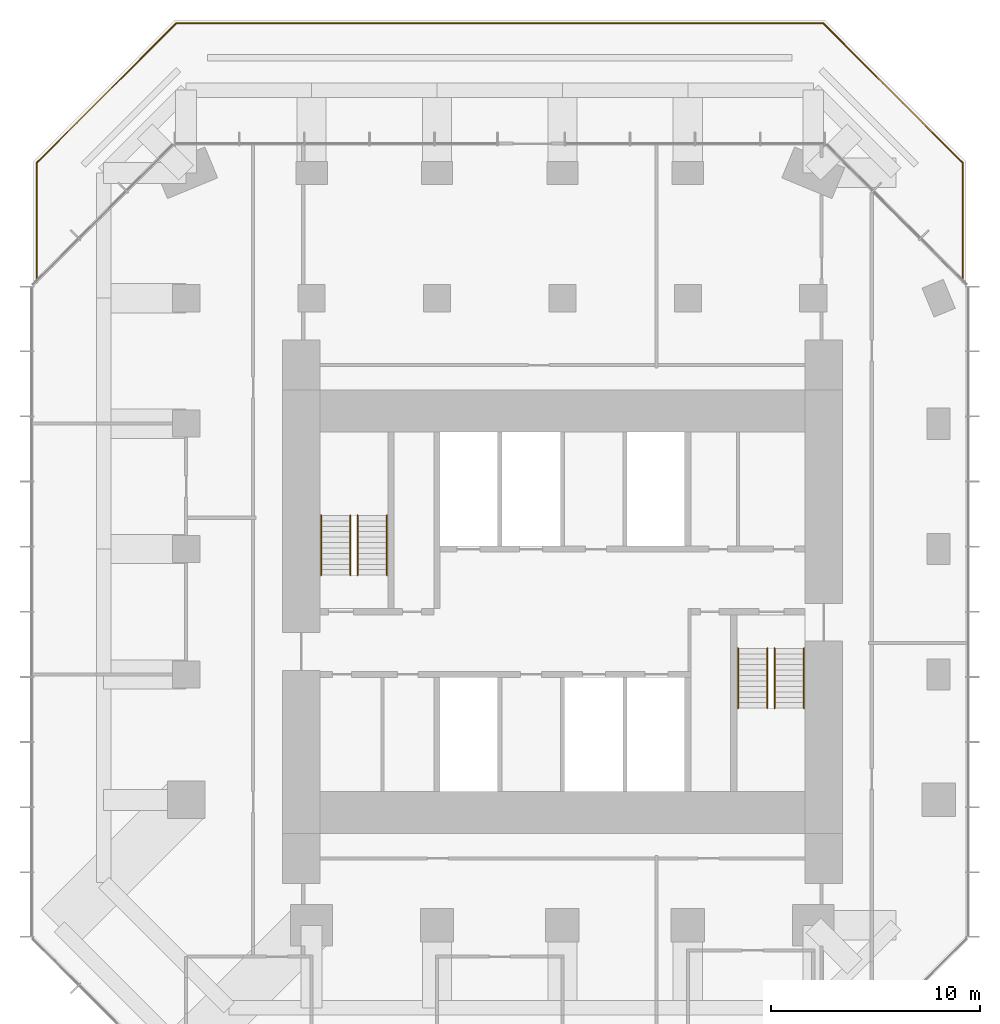
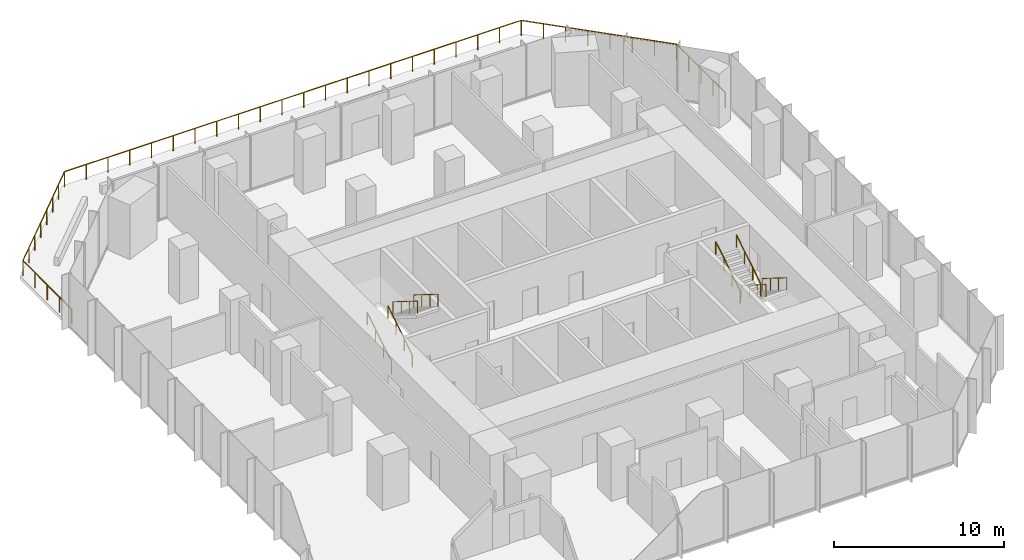
# One storey, part 11 of 11: 9 railings.
"""IFC4 building model written with IfcOpenShell, lengths in metres."""

import ifcopenshell
import ifcopenshell.guid

model = None  # the IFC model being written
_history = None  # IfcOwnerHistory: only IFC2X3 demands one
_inside = {}  # id of a spatial element -> (the spatial element, [elements in it])
_under = {}  # id of a project, library or spatial element -> (it, [spatial elements below it])
_declared = {}  # id of a project -> (the project, [libraries it declares])
_typed = {}  # id of a type object -> (the type object, [elements of that type])
_made_of = {}  # id of a material, layer set ... -> (it, [elements and type objects made of it])


def new_model(schema):
    """Start an empty IFC model of exactly this schema.

    Asked for "IFC4X3", IfcOpenShell would pick the latest addendum, in which some entities
    have other attributes; the version numbers below select the first issue.
    IFC2X3 requires an IfcOwnerHistory on every rooted entity: one is made here for all.
    """
    global model, _history
    if schema == "IFC4X3":
        model = ifcopenshell.file(schema_version=(4, 3, 0, 0))
    else:
        model = ifcopenshell.file(schema=schema)
    _inside.clear()
    _under.clear()
    _declared.clear()
    _typed.clear()
    _made_of.clear()
    _history = None
    if model.schema == "IFC2X3":
        org = make("IfcOrganization", Name="unknown")
        user = make(
            "IfcPersonAndOrganization",
            ThePerson=make("IfcPerson", FamilyName="unknown"),
            TheOrganization=org,
        )
        app = make(
            "IfcApplication",
            ApplicationDeveloper=org,
            Version="unknown",
            ApplicationFullName="unknown",
            ApplicationIdentifier="unknown",
        )
        _history = make(
            "IfcOwnerHistory",
            OwningUser=user,
            OwningApplication=app,
            ChangeAction="ADDED",
            CreationDate=0,
        )
    return model


def make(cls, **values):
    """One entity of the class cls with the attributes given. An attribute that is None is left unset."""
    return model.create_entity(
        cls, **{name: value for name, value in values.items() if value is not None}
    )


def rooted(cls, **values):
    """An entity with a GlobalId (a new one), such as an element, a storey or a relation."""
    return make(cls, GlobalId=ifcopenshell.guid.new(), OwnerHistory=_history, **values)


def si_unit(unit_type, name, prefix=None):
    """IfcSIUnit, for example si_unit("LENGTHUNIT", "METRE", prefix="MILLI")."""
    return make("IfcSIUnit", UnitType=unit_type, Prefix=prefix, Name=name)


def assignment(units):
    """IfcUnitAssignment: the units of a project."""
    return None if units is None else make("IfcUnitAssignment", Units=units)


def point(xyz):
    """IfcCartesianPoint."""
    return None if xyz is None else make("IfcCartesianPoint", Coordinates=xyz)


def direction(xyz):
    """IfcDirection."""
    return None if xyz is None else make("IfcDirection", DirectionRatios=xyz)


def frame(location, z_axis=None, x_axis=None):
    """IfcAxis2Placement3D, a coordinate frame: its origin and axes. An axis left out is left unset."""
    return make(
        "IfcAxis2Placement3D",
        Location=point(location),
        Axis=direction(z_axis),
        RefDirection=direction(x_axis),
    )


def frame_2d(location, x_axis=None):
    """IfcAxis2Placement2D, a coordinate frame in the plane: its origin and x axis."""
    return make(
        "IfcAxis2Placement2D", Location=point(location), RefDirection=direction(x_axis)
    )


def origin():
    """The frame at (0, 0, 0) with its axes left unset."""
    return frame((0.0, 0.0, 0.0))


def origin_2d():
    """The frame at (0, 0) in the plane with its x axis left unset."""
    return frame_2d((0.0, 0.0))


def place(relative_to, where):
    """IfcLocalPlacement: puts the frame where relative to a parent placement (None: the world)."""
    return make(
        "IfcLocalPlacement", PlacementRelTo=relative_to, RelativePlacement=where
    )


def context(
    kind, dimensions, precision=None, world=None, true_north=None, identifier=None
):
    """IfcGeometricRepresentationContext, for example the 3D "Model" context."""
    return make(
        "IfcGeometricRepresentationContext",
        ContextIdentifier=identifier,
        ContextType=kind,
        CoordinateSpaceDimension=dimensions,
        Precision=precision,
        WorldCoordinateSystem=world,
        TrueNorth=true_north,
    )


def subcontext(parent, identifier, kind, view, scale=None):
    """IfcGeometricRepresentationSubContext, for example "Body" below "Model"."""
    return make(
        "IfcGeometricRepresentationSubContext",
        ContextIdentifier=identifier,
        ContextType=kind,
        ParentContext=parent,
        TargetScale=scale,
        TargetView=view,
    )


def project(units=None, contexts=None):
    """IfcProject with its units and contexts."""
    return rooted(
        "IfcProject",
        Name="project",
        RepresentationContexts=contexts,
        UnitsInContext=assignment(units),
    )


def spatial(cls, under=None, at=None, **own):
    """A site, building, storey or space (cls), placed at a placement, below another one or the project."""
    s = rooted(cls, ObjectPlacement=at, **own)
    if under is not None:
        _under.setdefault(under.id(), (under, []))[1].append(s)
    return s


def profile(cls, at=None, kind="AREA", **sizes):
    """A parametric profile (cls). Its sizes go by their IFC names, for example OverallWidth=200.0."""
    return make(cls, ProfileType=kind, Position=at, **sizes)


def circle(**sizes):
    """IfcCircleProfileDef."""
    return profile("IfcCircleProfileDef", **sizes)


def extrude(swept, where, along, depth):
    """IfcExtrudedAreaSolid: the profile swept, set in the frame where, extruded along a direction by depth."""
    return make(
        "IfcExtrudedAreaSolid",
        SweptArea=swept,
        Position=where,
        ExtrudedDirection=direction(along),
        Depth=depth,
    )


def shape(context_of_items, identifier, shape_type, items):
    """IfcShapeRepresentation: the items that make up one representation, for example the "Body"."""
    return make(
        "IfcShapeRepresentation",
        ContextOfItems=context_of_items,
        RepresentationIdentifier=identifier,
        RepresentationType=shape_type,
        Items=items,
    )


def material(Name=None, Category=None):
    """IfcMaterial."""
    return make("IfcMaterial", Name=Name, Category=Category)


def made_of(thing, what):
    """Note that an element or type object is made of a material, layer set ...; save() writes the relation."""
    if what is not None:
        _made_of.setdefault(what.id(), (what, []))[1].append(thing)
    return thing


def type_object(cls, material=None, **own):
    """A type object (cls), such as IfcWallType, which elements share."""
    return made_of(rooted(cls, **own), material)


def element(
    cls,
    number,
    at=None,
    inside=None,
    cuts=None,
    type_object=None,
    material=None,
    context=None,
    identifier="Body",
    shape_type=None,
    held_by="IfcProductDefinitionShape",
    body=None,
    shapes=None,
    **own,
):
    """One element of the class cls, such as IfcWall. Its Tag is "e" and its number.

    at: its placement. inside: the storey or other place that contains it. cuts: it is an
    opening in that element (IfcRelVoidsElement). A single representation is given by context,
    identifier, shape_type and body (its items); several are given by shapes. held_by: the class
    of the entity that holds the representations. save() writes the other relations.
    """
    e = rooted(cls, Tag="e%d" % number, ObjectPlacement=at, **own)
    if body is not None:
        shapes = [shape(context, identifier, shape_type, body)]
    if shapes is not None:
        e.Representation = make(held_by, Representations=shapes)
    if inside is not None:
        _inside.setdefault(inside.id(), (inside, []))[1].append(e)
    if cuts is not None:
        rooted(
            "IfcRelVoidsElement", RelatingBuildingElement=cuts, RelatedOpeningElement=e
        )
    if type_object is not None:
        _typed.setdefault(type_object.id(), (type_object, []))[1].append(e)
    return made_of(e, material)


def aggregate(whole, parts):
    """IfcRelAggregates: a whole, such as a stair, and the parts it consists of."""
    return rooted("IfcRelAggregates", RelatingObject=whole, RelatedObjects=parts)


def save(model, path):
    """Write the relations noted so far, then the file.

    IfcRelAggregates (storeys below a building ...), IfcRelContainedInSpatialStructure (elements
    in a storey), IfcRelDefinesByType, IfcRelAssociatesMaterial and IfcRelDeclares: one each for
    every whole, place, type object, material and project.
    """
    for whole, parts in _under.values():
        aggregate(whole, parts)
    for where, things in _inside.values():
        rooted(
            "IfcRelContainedInSpatialStructure",
            RelatedElements=things,
            RelatingStructure=where,
        )
    for kind, things in _typed.values():
        rooted("IfcRelDefinesByType", RelatedObjects=things, RelatingType=kind)
    for what, things in _made_of.values():
        rooted("IfcRelAssociatesMaterial", RelatedObjects=things, RelatingMaterial=what)
    for by, libraries in _declared.values():
        rooted("IfcRelDeclares", RelatingContext=by, RelatedDefinitions=libraries)
    model.write(path)


model = new_model("IFC4")

# Units and contexts
model_context = context("Model", 3, precision=1e-05, world=origin(), true_north=direction((0.0, 1.0)))
body_context = subcontext(model_context, "Body", "Model", "MODEL_VIEW")
ifc_project = project(units=[si_unit("LENGTHUNIT", "METRE"), si_unit("AREAUNIT", "SQUARE_METRE"), si_unit("VOLUMEUNIT", "CUBIC_METRE"), si_unit("PLANEANGLEUNIT", "RADIAN"), si_unit("MASSUNIT", "GRAM", prefix="KILO")], contexts=[model_context])

# Site, building, storey
site_placement = place(None, origin())
site = spatial("IfcSite", under=ifc_project, at=site_placement, CompositionType="ELEMENT")
building_placement = place(site_placement, origin())
building = spatial("IfcBuilding", under=site, at=building_placement, Name="Highveld Stack Headquarters", CompositionType="ELEMENT")
storey_placement = place(building_placement, frame((0.0, 0.0, 212.300048828125)))
storey = spatial("IfcBuildingStorey", under=building, at=storey_placement, Name="L52", CompositionType="ELEMENT", Elevation=212.300048828125)

# Railings
ifc_material_1 = material(Name="Stainless steel handrail", Category="steel")
railing_type_1 = type_object("IfcRailingType", Name="STAIR HANDRAIL HR1 900", PredefinedType="HANDRAIL", material=ifc_material_1)
for number, where, name in (
    (1, (-5.550048828125, 4.75, 0.162353515625), "Handrail S1 L52 flight 1"),
    (2, (-4.14990234375, 4.75, 0.162353515625), "Handrail S1 L52 flight 1"),
):
    element("IfcRailing", number, at=place(storey_placement, frame(where)), inside=storey, type_object=railing_type_1, Name=name, PredefinedType="HANDRAIL", context=body_context, shape_type="SweptSolid", body=[
        extrude(circle(Radius=0.02392578125, at=origin_2d()), frame((0.0, 0.0, 0.8759765625), z_axis=(0.0, 0.847994237388, 0.530005446535), x_axis=(-1.0, 0.0, 0.0)), (0.0, 0.0, 1.0), 3.372802734375),
        extrude(circle(Radius=0.02099609375, at=origin_2d()), origin(), (0.0, 0.0, 1.0), 0.851806640625),
        extrude(circle(Radius=0.02099609375, at=origin_2d()), frame((0.0, 0.953369140625, 0.595947265625)), (0.0, 0.0, 1.0), 0.851806640625),
        extrude(circle(Radius=0.02099609375, at=origin_2d()), frame((0.0, 1.90673828125, 1.191650390625)), (0.0, 0.0, 1.0), 0.851806640625),
        extrude(circle(Radius=0.02099609375, at=origin_2d()), frame((0.0, 2.860107421875, 1.78759765625)), (0.0, 0.0, 1.0), 0.851806640625),
    ])
for number, where, name in (
    (3, (-3.800048828125, 7.610107421875, 2.112548828125), "Handrail S1 L52 flight 2"),
    (4, (-2.39990234375, 7.610107421875, 2.112548828125), "Handrail S1 L52 flight 2"),
):
    element("IfcRailing", number, at=place(storey_placement, frame(where)), inside=storey, type_object=railing_type_1, Name=name, PredefinedType="HANDRAIL", context=body_context, shape_type="SweptSolid", body=[
        extrude(circle(Radius=0.02392578125, at=origin_2d()), frame((0.0, 0.0, 0.8759765625), z_axis=(0.0, -0.848026770018, 0.529953391661), x_axis=(1.0, 0.0, 0.0)), (0.0, 0.0, 1.0), 3.37255859375),
        extrude(circle(Radius=0.02099609375, at=origin_2d()), origin(), (0.0, 0.0, 1.0), 0.851806640625),
        extrude(circle(Radius=0.02099609375, at=origin_2d()), frame((0.0, -0.953369140625, 0.595703125)), (0.0, 0.0, 1.0), 0.851806640625),
        extrude(circle(Radius=0.02099609375, at=origin_2d()), frame((0.0, -1.90673828125, 1.191650390625)), (0.0, 0.0, 1.0), 0.851806640625),
        extrude(circle(Radius=0.02099609375, at=origin_2d()), frame((0.0, -2.860107421875, 1.787353515625)), (0.0, 0.0, 1.0), 0.851806640625),
    ])
for number, where, name in (
    (5, (16.14990234375, 1.25, 0.162353515625), "Handrail S2 L52 flight 1"),
    (6, (17.550048828125, 1.25, 0.162353515625), "Handrail S2 L52 flight 1"),
):
    element("IfcRailing", number, at=place(storey_placement, frame(where)), inside=storey, type_object=railing_type_1, Name=name, PredefinedType="HANDRAIL", context=body_context, shape_type="SweptSolid", body=[
        extrude(circle(Radius=0.02392578125, at=origin_2d()), frame((0.0, 0.0, 0.8759765625), z_axis=(0.0, -0.847994237388, 0.530005446535), x_axis=(1.0, 0.0, 0.0)), (0.0, 0.0, 1.0), 3.372802734375),
        extrude(circle(Radius=0.02099609375, at=origin_2d()), origin(), (0.0, 0.0, 1.0), 0.851806640625),
        extrude(circle(Radius=0.02099609375, at=origin_2d()), frame((0.0, -0.953369140625, 0.595947265625)), (0.0, 0.0, 1.0), 0.851806640625),
        extrude(circle(Radius=0.02099609375, at=origin_2d()), frame((0.0, -1.90673828125, 1.191650390625)), (0.0, 0.0, 1.0), 0.851806640625),
        extrude(circle(Radius=0.02099609375, at=origin_2d()), frame((0.0, -2.860107421875, 1.78759765625)), (0.0, 0.0, 1.0), 0.851806640625),
    ])
for number, where, name in (
    (7, (14.39990234375, -1.610107421875, 2.112548828125), "Handrail S2 L52 flight 2"),
    (8, (15.800048828125, -1.610107421875, 2.112548828125), "Handrail S2 L52 flight 2"),
):
    element("IfcRailing", number, at=place(storey_placement, frame(where)), inside=storey, type_object=railing_type_1, Name=name, PredefinedType="HANDRAIL", context=body_context, shape_type="SweptSolid", body=[
        extrude(circle(Radius=0.02392578125, at=origin_2d()), frame((0.0, 0.0, 0.8759765625), z_axis=(0.0, 0.848026770018, 0.529953391661), x_axis=(-1.0, 0.0, 0.0)), (0.0, 0.0, 1.0), 3.37255859375),
        extrude(circle(Radius=0.02099609375, at=origin_2d()), origin(), (0.0, 0.0, 1.0), 0.851806640625),
        extrude(circle(Radius=0.02099609375, at=origin_2d()), frame((0.0, 0.953369140625, 0.595703125)), (0.0, 0.0, 1.0), 0.851806640625),
        extrude(circle(Radius=0.02099609375, at=origin_2d()), frame((0.0, 1.90673828125, 1.191650390625)), (0.0, 0.0, 1.0), 0.851806640625),
        extrude(circle(Radius=0.02099609375, at=origin_2d()), frame((0.0, 2.860107421875, 1.787353515625)), (0.0, 0.0, 1.0), 0.851806640625),
    ])
ifc_material_2 = material(Name="Laminated glass balustrade with bronze handrail", Category="glass")
railing_type_2 = type_object("IfcRailingType", Name="TERRACE GUARD GR1 1100 GLASS", PredefinedType="GUARDRAIL", material=ifc_material_2)
railing_placement = place(storey_placement, frame((-19.14990234375, 18.75048828125, 0.0)))
element("IfcRailing", 9, at=railing_placement, inside=storey, type_object=railing_type_2, Name="Terrace guard L52 1", PredefinedType="GUARDRAIL", context=body_context, shape_type="SweptSolid", body=[
    extrude(circle(Radius=0.02392578125, at=origin_2d()), frame((0.0, 0.0, 1.076171875), z_axis=(0.0, 1.0, 0.0), x_axis=(-1.0, 0.0, 0.0)), (0.0, 0.0, 1.0), 5.725830078125),
    extrude(circle(Radius=0.02392578125, at=origin_2d()), frame((0.0, 5.725830078125, 1.076171875), z_axis=(0.707106781187, 0.707106781187, 0.0), x_axis=(-0.707106781187, 0.707106781187, 0.0)), (0.0, 0.0, 1.0), 9.43798828125),
    extrude(circle(Radius=0.02392578125, at=origin_2d()), frame((6.673583984375, 12.3994140625, 1.076171875), z_axis=(1.0, 0.0, 0.0), x_axis=(0.0, 1.0, 0.0)), (0.0, 0.0, 1.0), 30.95263671875),
    extrude(circle(Radius=0.02392578125, at=origin_2d()), frame((37.626220703125, 12.3994140625, 1.076171875), z_axis=(0.707106781187, -0.707106781187, 0.0), x_axis=(0.707106781187, 0.707106781187, 0.0)), (0.0, 0.0, 1.0), 9.43798828125),
    extrude(circle(Radius=0.02392578125, at=origin_2d()), frame((44.2998046875, 5.725830078125, 1.076171875), z_axis=(0.0, -1.0, 0.0), x_axis=(1.0, 0.0, 0.0)), (0.0, 0.0, 1.0), 5.725830078125),
    extrude(circle(Radius=0.02099609375, at=origin_2d()), origin(), (0.0, 0.0, 1.0), 1.052001953125),
    extrude(circle(Radius=0.02099609375, at=origin_2d()), frame((0.0, 1.431396484375, 0.0)), (0.0, 0.0, 1.0), 1.052001953125),
    extrude(circle(Radius=0.02099609375, at=origin_2d()), frame((0.0, 2.86279296875, 0.0)), (0.0, 0.0, 1.0), 1.052001953125),
    extrude(circle(Radius=0.02099609375, at=origin_2d()), frame((0.0, 4.29443359375, 0.0)), (0.0, 0.0, 1.0), 1.052001953125),
    extrude(circle(Radius=0.02099609375, at=origin_2d()), frame((0.0, 5.725830078125, 0.0)), (0.0, 0.0, 1.0), 1.052001953125),
    extrude(circle(Radius=0.02099609375, at=origin_2d()), frame((0.953369140625, 6.67919921875, 0.0)), (0.0, 0.0, 1.0), 1.052001953125),
    extrude(circle(Radius=0.02099609375, at=origin_2d()), frame((1.90673828125, 7.632568359375, 0.0)), (0.0, 0.0, 1.0), 1.052001953125),
    extrude(circle(Radius=0.02099609375, at=origin_2d()), frame((2.860107421875, 8.5859375, 0.0)), (0.0, 0.0, 1.0), 1.052001953125),
    extrude(circle(Radius=0.02099609375, at=origin_2d()), frame((3.8134765625, 9.539306640625, 0.0)), (0.0, 0.0, 1.0), 1.052001953125),
    extrude(circle(Radius=0.02099609375, at=origin_2d()), frame((4.766845703125, 10.49267578125, 0.0)), (0.0, 0.0, 1.0), 1.052001953125),
    extrude(circle(Radius=0.02099609375, at=origin_2d()), frame((5.72021484375, 11.446044921875, 0.0)), (0.0, 0.0, 1.0), 1.052001953125),
    extrude(circle(Radius=0.02099609375, at=origin_2d()), frame((6.673583984375, 12.3994140625, 0.0)), (0.0, 0.0, 1.0), 1.052001953125),
    extrude(circle(Radius=0.02099609375, at=origin_2d()), frame((8.1474609375, 12.3994140625, 0.0)), (0.0, 0.0, 1.0), 1.052001953125),
    extrude(circle(Radius=0.02099609375, at=origin_2d()), frame((9.621337890625, 12.3994140625, 0.0)), (0.0, 0.0, 1.0), 1.052001953125),
    extrude(circle(Radius=0.02099609375, at=origin_2d()), frame((11.095458984375, 12.3994140625, 0.0)), (0.0, 0.0, 1.0), 1.052001953125),
    extrude(circle(Radius=0.02099609375, at=origin_2d()), frame((12.5693359375, 12.3994140625, 0.0)), (0.0, 0.0, 1.0), 1.052001953125),
    extrude(circle(Radius=0.02099609375, at=origin_2d()), frame((14.043212890625, 12.3994140625, 0.0)), (0.0, 0.0, 1.0), 1.052001953125),
    extrude(circle(Radius=0.02099609375, at=origin_2d()), frame((15.51708984375, 12.3994140625, 0.0)), (0.0, 0.0, 1.0), 1.052001953125),
    extrude(circle(Radius=0.02099609375, at=origin_2d()), frame((16.9912109375, 12.3994140625, 0.0)), (0.0, 0.0, 1.0), 1.052001953125),
    extrude(circle(Radius=0.02099609375, at=origin_2d()), frame((18.465087890625, 12.3994140625, 0.0)), (0.0, 0.0, 1.0), 1.052001953125),
    extrude(circle(Radius=0.02099609375, at=origin_2d()), frame((19.93896484375, 12.3994140625, 0.0)), (0.0, 0.0, 1.0), 1.052001953125),
    extrude(circle(Radius=0.02099609375, at=origin_2d()), frame((21.412841796875, 12.3994140625, 0.0)), (0.0, 0.0, 1.0), 1.052001953125),
    extrude(circle(Radius=0.02099609375, at=origin_2d()), frame((22.886962890625, 12.3994140625, 0.0)), (0.0, 0.0, 1.0), 1.052001953125),
    extrude(circle(Radius=0.02099609375, at=origin_2d()), frame((24.36083984375, 12.3994140625, 0.0)), (0.0, 0.0, 1.0), 1.052001953125),
    extrude(circle(Radius=0.02099609375, at=origin_2d()), frame((25.834716796875, 12.3994140625, 0.0)), (0.0, 0.0, 1.0), 1.052001953125),
    extrude(circle(Radius=0.02099609375, at=origin_2d()), frame((27.30859375, 12.3994140625, 0.0)), (0.0, 0.0, 1.0), 1.052001953125),
    extrude(circle(Radius=0.02099609375, at=origin_2d()), frame((28.78271484375, 12.3994140625, 0.0)), (0.0, 0.0, 1.0), 1.052001953125),
    extrude(circle(Radius=0.02099609375, at=origin_2d()), frame((30.256591796875, 12.3994140625, 0.0)), (0.0, 0.0, 1.0), 1.052001953125),
    extrude(circle(Radius=0.02099609375, at=origin_2d()), frame((31.73046875, 12.3994140625, 0.0)), (0.0, 0.0, 1.0), 1.052001953125),
    extrude(circle(Radius=0.02099609375, at=origin_2d()), frame((33.204345703125, 12.3994140625, 0.0)), (0.0, 0.0, 1.0), 1.052001953125),
    extrude(circle(Radius=0.02099609375, at=origin_2d()), frame((34.678466796875, 12.3994140625, 0.0)), (0.0, 0.0, 1.0), 1.052001953125),
    extrude(circle(Radius=0.02099609375, at=origin_2d()), frame((36.15234375, 12.3994140625, 0.0)), (0.0, 0.0, 1.0), 1.052001953125),
    extrude(circle(Radius=0.02099609375, at=origin_2d()), frame((37.626220703125, 12.3994140625, 0.0)), (0.0, 0.0, 1.0), 1.052001953125),
    extrude(circle(Radius=0.02099609375, at=origin_2d()), frame((38.57958984375, 11.446044921875, 0.0)), (0.0, 0.0, 1.0), 1.052001953125),
    extrude(circle(Radius=0.02099609375, at=origin_2d()), frame((39.532958984375, 10.49267578125, 0.0)), (0.0, 0.0, 1.0), 1.052001953125),
    extrude(circle(Radius=0.02099609375, at=origin_2d()), frame((40.486328125, 9.539306640625, 0.0)), (0.0, 0.0, 1.0), 1.052001953125),
    extrude(circle(Radius=0.02099609375, at=origin_2d()), frame((41.439697265625, 8.5859375, 0.0)), (0.0, 0.0, 1.0), 1.052001953125),
    extrude(circle(Radius=0.02099609375, at=origin_2d()), frame((42.39306640625, 7.632568359375, 0.0)), (0.0, 0.0, 1.0), 1.052001953125),
    extrude(circle(Radius=0.02099609375, at=origin_2d()), frame((43.346435546875, 6.67919921875, 0.0)), (0.0, 0.0, 1.0), 1.052001953125),
    extrude(circle(Radius=0.02099609375, at=origin_2d()), frame((44.2998046875, 5.725830078125, 0.0)), (0.0, 0.0, 1.0), 1.052001953125),
    extrude(circle(Radius=0.02099609375, at=origin_2d()), frame((44.2998046875, 4.29443359375, 0.0)), (0.0, 0.0, 1.0), 1.052001953125),
    extrude(circle(Radius=0.02099609375, at=origin_2d()), frame((44.2998046875, 2.86279296875, 0.0)), (0.0, 0.0, 1.0), 1.052001953125),
    extrude(circle(Radius=0.02099609375, at=origin_2d()), frame((44.2998046875, 1.431396484375, 0.0)), (0.0, 0.0, 1.0), 1.052001953125),
    extrude(circle(Radius=0.02099609375, at=origin_2d()), frame((44.2998046875, 0.0, 0.0)), (0.0, 0.0, 1.0), 1.052001953125),
])

save(model, "model.ifc")
